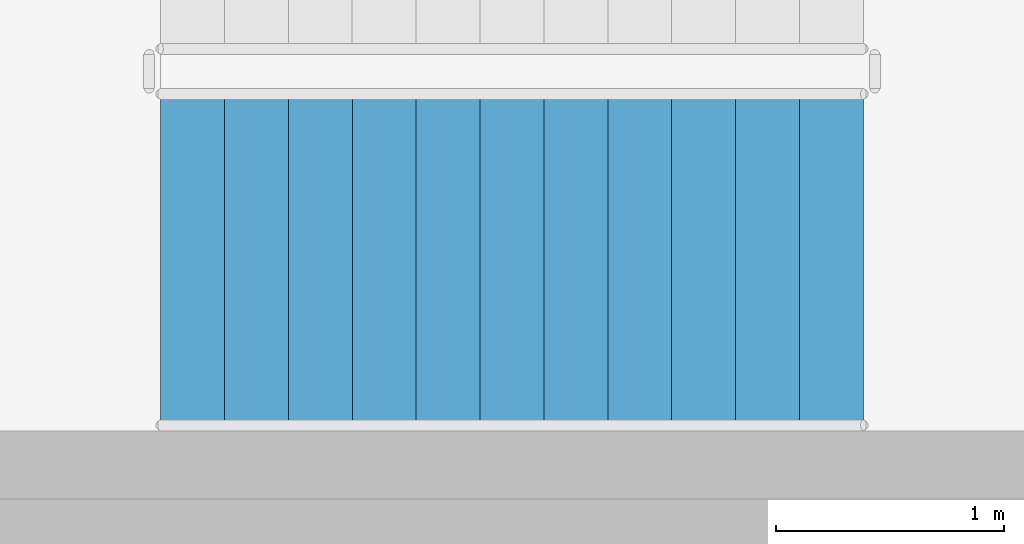
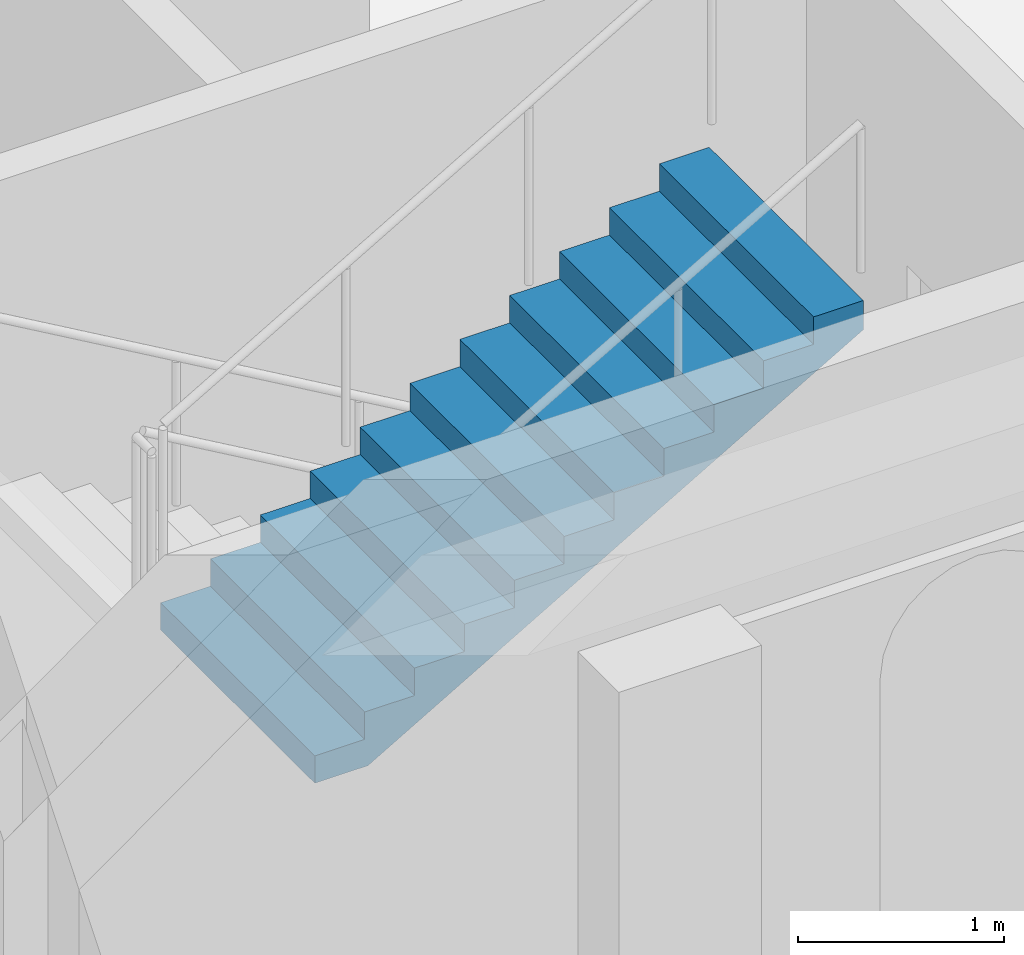
# One storey, part 77 of 95: 1 stair flight, 1 element without a shape of its own.
"""IFC4 building model written with IfcOpenShell, lengths in metres."""

from ifc_helpers import new_model, si_unit, direction, frame, origin, place, context, subcontext, project, spatial, triangles, material, type_object, element, aggregate, save


model = new_model("IFC4")

# Units and contexts
model_context = context("Model", 3, precision=1e-05, world=origin(), true_north=direction((0.0, 1.0)))
body_context = subcontext(model_context, "Body", "Model", "MODEL_VIEW")
ifc_project = project(units=[si_unit("LENGTHUNIT", "METRE"), si_unit("AREAUNIT", "SQUARE_METRE"), si_unit("VOLUMEUNIT", "CUBIC_METRE"), si_unit("PLANEANGLEUNIT", "RADIAN"), si_unit("MASSUNIT", "GRAM", prefix="KILO")], contexts=[model_context])

# Site, building, storey
site_placement = place(None, origin())
site = spatial("IfcSite", under=ifc_project, at=site_placement, CompositionType="ELEMENT")
building_placement = place(site_placement, origin())
building = spatial("IfcBuilding", under=site, at=building_placement, Name="Magnolia Steps Interchange", CompositionType="ELEMENT")
storey_placement = place(building_placement, frame((0.0, 0.0, 4.800048828125)))
storey = spatial("IfcBuildingStorey", under=building, at=storey_placement, Name="L01", CompositionType="ELEMENT", Elevation=4.800048828125)

# Stair, stair flight
ifc_material_1 = material(Name="Concrete C40", Category="concrete")
stair_type = type_object("IfcStairType", Name="Exit stair 1500", PredefinedType="HALF_TURN_STAIR", material=ifc_material_1)
stair_placement = place(storey_placement, origin())
stair = element("IfcStair", 1, at=stair_placement, inside=storey, type_object=stair_type, Name="L01 Stair 28", PredefinedType="HALF_TURN_STAIR")
ifc_material_2 = material(Name="Concrete C40", Category="concrete")
stair_flight_type = type_object("IfcStairFlightType", Name="Exit stair flight", PredefinedType="STRAIGHT", material=ifc_material_2)
stair_flight_placement = place(storey_placement, frame((66.070068359375, 97.60009765625, 1.949951171875), z_axis=(0.0, 0.0, 1.0), x_axis=(1.0, 0.0, 0.0)))
stair_flight = element("IfcStairFlight", 2, at=stair_flight_placement, type_object=stair_flight_type, Name="Stair 28 flight 2", NumberOfRisers=12, NumberOfTreads=11, PredefinedType="STRAIGHT", RiserHeight=0.1625, TreadLength=0.28, context=body_context, shape_type="Tessellation", body=[
    triangles([(0.0, -0.75, 0.0), (0.298583984375, -0.75, 0.0), (3.080078125, -0.75, 1.6142578125), (3.080078125, -0.75, 1.78759765625), (2.800048828125, -0.75, 1.78759765625), (2.800048828125, -0.75, 1.625), (2.52001953125, -0.75, 1.625), (2.52001953125, -0.75, 1.46240234375), (2.239990234375, -0.75, 1.46240234375), (2.239990234375, -0.75, 1.300048828125), (1.9599609375, -0.75, 1.300048828125), (1.9599609375, -0.75, 1.137451171875), (1.679931640625, -0.75, 1.137451171875), (1.679931640625, -0.75, 0.97509765625), (1.39990234375, -0.75, 0.97509765625), (1.39990234375, -0.75, 0.8125), (1.1201171875, -0.75, 0.8125), (1.1201171875, -0.75, 0.64990234375), (0.840087890625, -0.75, 0.64990234375), (0.840087890625, -0.75, 0.487548828125), (0.56005859375, -0.75, 0.487548828125), (0.56005859375, -0.75, 0.324951171875), (0.280029296875, -0.75, 0.324951171875), (0.280029296875, -0.75, 0.16259765625), (0.0, -0.75, 0.16259765625), (0.0, 0.75, 0.0), (0.298583984375, 0.75, 0.0), (3.080078125, 0.75, 1.6142578125), (3.080078125, 0.75, 1.78759765625), (2.800048828125, 0.75, 1.78759765625), (2.800048828125, 0.75, 1.625), (2.52001953125, 0.75, 1.625), (2.52001953125, 0.75, 1.46240234375), (2.239990234375, 0.75, 1.46240234375), (2.239990234375, 0.75, 1.300048828125), (1.9599609375, 0.75, 1.300048828125), (1.9599609375, 0.75, 1.137451171875), (1.679931640625, 0.75, 1.137451171875), (1.679931640625, 0.75, 0.97509765625), (1.39990234375, 0.75, 0.97509765625), (1.39990234375, 0.75, 0.8125), (1.1201171875, 0.75, 0.8125), (1.1201171875, 0.75, 0.64990234375), (0.840087890625, 0.75, 0.64990234375), (0.840087890625, 0.75, 0.487548828125), (0.56005859375, 0.75, 0.487548828125), (0.56005859375, 0.75, 0.324951171875), (0.280029296875, 0.75, 0.324951171875), (0.280029296875, 0.75, 0.16259765625), (0.0, 0.75, 0.16259765625), (0.0, 0.0, 0.0), (0.0, 0.0, 0.0406494140625), (0.0, 0.0, 0.081298828125), (0.0, 0.0, 0.1219482421875), (0.0, 0.0, 0.16259765625), (0.0, -0.05, 0.0), (0.0, -0.05, 0.16259765625), (0.0, 0.05, 0.0), (0.0, 0.05, 0.16259765625), (0.046671549479166664, 0.0, 0.16259765625), (0.09334309895833333, 0.0, 0.16259765625), (0.1400146484375, 0.0, 0.16259765625), (0.18668619791666666, 0.0, 0.16259765625), (0.23335774739583334, 0.0, 0.16259765625), (0.280029296875, 0.0, 0.16259765625), (0.280029296875, -0.05, 0.16259765625), (0.280029296875, 0.05, 0.16259765625), (0.280029296875, 0.0, 0.20318603515625), (0.280029296875, 0.0, 0.2437744140625), (0.280029296875, 0.0, 0.28436279296875), (0.280029296875, 0.0, 0.324951171875), (0.280029296875, -0.05, 0.324951171875), (0.280029296875, 0.05, 0.324951171875), (0.3267008463541667, 0.0, 0.324951171875), (0.3733723958333333, 0.0, 0.324951171875), (0.4200439453125, 0.0, 0.324951171875), (0.46671549479166663, 0.0, 0.324951171875), (0.5133870442708334, 0.0, 0.324951171875), (0.56005859375, 0.0, 0.324951171875), (0.56005859375, -0.05, 0.324951171875), (0.56005859375, 0.05, 0.324951171875), (0.56005859375, 0.0, 0.3656005859375), (0.56005859375, 0.0, 0.40625), (0.56005859375, 0.0, 0.4468994140625), (0.56005859375, 0.0, 0.487548828125), (0.56005859375, -0.05, 0.487548828125), (0.56005859375, 0.05, 0.487548828125), (0.6067301432291666, 0.0, 0.487548828125), (0.6534016927083334, 0.0, 0.487548828125), (0.7000732421875, 0.0, 0.487548828125), (0.7467447916666666, 0.0, 0.487548828125), (0.7934163411458334, 0.0, 0.487548828125), (0.840087890625, 0.0, 0.487548828125), (0.840087890625, -0.05, 0.487548828125), (0.840087890625, 0.05, 0.487548828125), (0.840087890625, 0.0, 0.52813720703125), (0.840087890625, 0.0, 0.5687255859375), (0.840087890625, 0.0, 0.60931396484375), (0.840087890625, 0.0, 0.64990234375), (0.840087890625, -0.05, 0.64990234375), (0.840087890625, 0.05, 0.64990234375), (0.8867594401041666, 0.0, 0.64990234375), (0.9334309895833334, 0.0, 0.64990234375), (0.9801025390625, 0.0, 0.64990234375), (1.0267740885416667, 0.0, 0.64990234375), (1.0734456380208333, 0.0, 0.64990234375), (1.1201171875, 0.0, 0.64990234375), (1.1201171875, -0.05, 0.64990234375), (1.1201171875, 0.05, 0.64990234375), (1.1201171875, 0.0, 0.6905517578125), (1.1201171875, 0.0, 0.731201171875), (1.1201171875, 0.0, 0.7718505859375), (1.1201171875, 0.0, 0.8125), (1.1201171875, -0.05, 0.8125), (1.1201171875, 0.05, 0.8125), (1.1900634765625, 0.0, 0.8125), (1.260009765625, 0.0, 0.8125), (1.3299560546875, 0.0, 0.8125), (1.39990234375, 0.0, 0.8125), (1.39990234375, -0.05, 0.8125), (1.39990234375, 0.05, 0.8125), (1.39990234375, 0.0, 0.8531494140625), (1.39990234375, 0.0, 0.893798828125), (1.39990234375, 0.0, 0.9344482421875), (1.39990234375, 0.0, 0.97509765625), (1.39990234375, -0.05, 0.97509765625), (1.39990234375, 0.05, 0.97509765625), (1.4465738932291667, 0.0, 0.97509765625), (1.4932454427083333, 0.0, 0.97509765625), (1.5399169921875, 0.0, 0.97509765625), (1.5865885416666667, 0.0, 0.97509765625), (1.6332600911458333, 0.0, 0.97509765625), (1.679931640625, 0.0, 0.97509765625), (1.679931640625, -0.05, 0.97509765625), (1.679931640625, 0.05, 0.97509765625), (1.679931640625, 0.0, 1.01568603515625), (1.679931640625, 0.0, 1.0562744140625), (1.679931640625, 0.0, 1.09686279296875), (1.679931640625, 0.0, 1.137451171875), (1.679931640625, -0.05, 1.137451171875), (1.679931640625, 0.05, 1.137451171875), (1.7266031901041667, 0.0, 1.137451171875), (1.7732747395833333, 0.0, 1.137451171875), (1.8199462890625, 0.0, 1.137451171875), (1.8666178385416667, 0.0, 1.137451171875), (1.9132893880208333, 0.0, 1.137451171875), (1.9599609375, 0.0, 1.137451171875), (1.9599609375, -0.05, 1.137451171875), (1.9599609375, 0.05, 1.137451171875), (1.9599609375, 0.0, 1.1781005859375), (1.9599609375, 0.0, 1.21875), (1.9599609375, 0.0, 1.2593994140625), (1.9599609375, 0.0, 1.300048828125), (1.9599609375, -0.05, 1.300048828125), (1.9599609375, 0.05, 1.300048828125), (2.0066324869791665, 0.0, 1.300048828125), (2.0533040364583335, 0.0, 1.300048828125), (2.0999755859375, 0.0, 1.300048828125), (2.1466471354166665, 0.0, 1.300048828125), (2.1933186848958335, 0.0, 1.300048828125), (2.239990234375, 0.0, 1.300048828125), (2.239990234375, -0.05, 1.300048828125), (2.239990234375, 0.05, 1.300048828125), (2.239990234375, 0.0, 1.34063720703125), (2.239990234375, 0.0, 1.3812255859375), (2.239990234375, 0.0, 1.42181396484375), (2.239990234375, 0.0, 1.46240234375), (2.239990234375, -0.05, 1.46240234375), (2.239990234375, 0.05, 1.46240234375), (2.2866617838541665, 0.0, 1.46240234375), (2.3333333333333335, 0.0, 1.46240234375), (2.3800048828125, 0.0, 1.46240234375), (2.4266764322916665, 0.0, 1.46240234375), (2.4733479817708335, 0.0, 1.46240234375), (2.52001953125, 0.0, 1.46240234375), (2.52001953125, -0.05, 1.46240234375), (2.52001953125, 0.05, 1.46240234375), (2.52001953125, 0.0, 1.5030517578125), (2.52001953125, 0.0, 1.543701171875), (2.52001953125, 0.0, 1.5843505859375), (2.52001953125, 0.0, 1.625), (2.52001953125, -0.05, 1.625), (2.52001953125, 0.05, 1.625), (2.5666910807291665, 0.0, 1.625), (2.6133626302083335, 0.0, 1.625), (2.6600341796875, 0.0, 1.625), (2.7067057291666665, 0.0, 1.625), (2.7533772786458335, 0.0, 1.625), (2.800048828125, 0.0, 1.625), (2.800048828125, -0.05, 1.625), (2.800048828125, 0.05, 1.625), (2.800048828125, 0.0, 1.6656494140625), (2.800048828125, 0.0, 1.706298828125), (2.800048828125, 0.0, 1.7469482421875), (2.800048828125, 0.0, 1.78759765625), (2.800048828125, -0.05, 1.78759765625), (2.800048828125, 0.05, 1.78759765625), (2.8467203776041665, 0.0, 1.78759765625), (2.8933919270833335, 0.0, 1.78759765625), (2.9400634765625, 0.0, 1.78759765625), (2.9867350260416665, 0.0, 1.78759765625), (3.0334065755208335, 0.0, 1.78759765625), (3.080078125, 0.0, 1.78759765625), (3.080078125, -0.05, 1.78759765625), (3.080078125, 0.05, 1.78759765625), (3.080078125, 0.0, 1.7442626953125), (3.080078125, 0.0, 1.700927734375), (3.080078125, 0.0, 1.6575927734375), (3.080078125, 0.0, 1.6142578125), (3.080078125, -0.05, 1.6142578125), (3.080078125, 0.05, 1.6142578125), (3.0196108610733696, 0.0, 1.5791652513586956), (2.9591435971467392, 0.0, 1.5440726902173914), (2.898676333220109, 0.0, 1.508980129076087), (2.8382090692934785, 0.0, 1.4738875679347827), (2.7777418053668477, 0.0, 1.4387950067934783), (2.7172745414402173, 0.0, 1.4037024456521738), (2.656807277513587, 0.0, 1.3686098845108696), (2.5963400135869565, 0.0, 1.3335173233695652), (2.535872749660326, 0.0, 1.2984247622282608), (2.475405485733696, 0.0, 1.2633322010869565), (2.4149382218070654, 0.0, 1.228239639945652), (2.3544709578804346, 0.0, 1.193147078804348), (2.294003693953804, 0.0, 1.1580545176630435), (2.233536430027174, 0.0, 1.1229619565217392), (2.1730691661005435, 0.0, 1.0878693953804348), (2.112601902173913, 0.0, 1.0527768342391304), (2.0521346382472827, 0.0, 1.0176842730978262), (1.991667374320652, 0.0, 0.9825917119565217), (1.9312001103940217, 0.0, 0.9474991508152174), (1.8707328464673914, 0.0, 0.9124065896739131), (1.810265582540761, 0.0, 0.8773140285326086), (1.7497983186141304, 0.0, 0.8422214673913043), (1.6893310546875, 0.0, 0.80712890625), (1.6288637907608696, 0.0, 0.7720363451086957), (1.568396526834239, 0.0, 0.7369437839673914), (1.5079292629076086, 0.0, 0.7018512228260869), (1.4474619989809783, 0.0, 0.6667586616847826), (1.386994735054348, 0.0, 0.6316661005434783), (1.3265274711277173, 0.0, 0.5965735394021738), (1.266060207201087, 0.0, 0.5614809782608696), (1.2055929432744565, 0.0, 0.5263884171195652), (1.1451256793478262, 0.0, 0.491295855978261), (1.0846584154211956, 0.0, 0.45620329483695654), (1.0241911514945654, 0.0, 0.4211107336956521), (0.9637238875679346, 0.0, 0.3860181725543479), (0.9032566236413042, 0.0, 0.35092561141304346), (0.8427893597146738, 0.0, 0.315833050271739), (0.7823220957880435, 0.0, 0.2807404891304348), (0.7218548318614131, 0.0, 0.24564792798913038), (0.6613875679347827, 0.0, 0.21055536684782616), (0.6009203040081523, 0.0, 0.17546280570652173), (0.540453040081522, 0.0, 0.1403702445652173), (0.47998577615489113, 0.0, 0.10527768342391308), (0.41951851222826075, 0.0, 0.07018512228260865), (0.3590512483016304, 0.0, 0.035092561141304435), (0.298583984375, 0.0, 0.0), (0.298583984375, -0.05, 0.0), (0.298583984375, 0.05, 0.0), (0.24881998697916666, 0.0, 0.0), (0.19905598958333331, 0.0, 0.0), (0.1492919921875, 0.0, 0.0), (0.09952799479166666, 0.0, 0.0), (0.04976399739583334, 0.0, 0.0)], [[1, 2, 3], [3, 4, 5], [3, 5, 6], [3, 6, 7], [3, 7, 8], [8, 9, 10], [3, 8, 10], [10, 11, 12], [3, 10, 12], [12, 13, 14], [3, 12, 14], [14, 15, 16], [3, 14, 16], [16, 17, 18], [3, 16, 18], [18, 19, 20], [3, 18, 20], [20, 21, 22], [3, 20, 22], [1, 3, 22], [22, 23, 24], [1, 22, 24], [24, 25, 1], [26, 28, 27], [28, 30, 29], [28, 31, 30], [28, 32, 31], [28, 33, 32], [33, 35, 34], [28, 35, 33], [35, 37, 36], [28, 37, 35], [37, 39, 38], [28, 39, 37], [39, 41, 40], [28, 41, 39], [41, 43, 42], [28, 43, 41], [43, 45, 44], [28, 45, 43], [45, 47, 46], [28, 47, 45], [26, 47, 28], [47, 49, 48], [26, 49, 47], [49, 26, 50], [1, 25, 57], [1, 57, 56], [56, 52, 51], [56, 53, 52], [56, 57, 53], [57, 54, 53], [57, 55, 54], [26, 59, 50], [26, 58, 59], [58, 51, 52], [58, 52, 53], [58, 53, 59], [59, 53, 54], [59, 54, 55], [25, 24, 66], [25, 66, 57], [57, 60, 55], [57, 61, 60], [57, 62, 61], [57, 66, 62], [66, 63, 62], [66, 64, 63], [66, 65, 64], [50, 67, 49], [50, 59, 67], [59, 55, 60], [59, 60, 61], [59, 61, 62], [59, 62, 67], [67, 62, 63], [67, 63, 64], [67, 64, 65], [24, 23, 72], [24, 72, 66], [66, 68, 65], [66, 69, 68], [66, 72, 69], [72, 70, 69], [72, 71, 70], [49, 73, 48], [49, 67, 73], [67, 65, 68], [67, 68, 69], [67, 69, 73], [73, 69, 70], [73, 70, 71], [23, 22, 80], [23, 80, 72], [72, 74, 71], [72, 75, 74], [72, 76, 75], [72, 80, 76], [80, 77, 76], [80, 78, 77], [80, 79, 78], [48, 81, 47], [48, 73, 81], [73, 71, 74], [73, 74, 75], [73, 75, 76], [73, 76, 81], [81, 76, 77], [81, 77, 78], [81, 78, 79], [22, 21, 86], [22, 86, 80], [80, 82, 79], [80, 83, 82], [80, 86, 83], [86, 84, 83], [86, 85, 84], [47, 87, 46], [47, 81, 87], [81, 79, 82], [81, 82, 83], [81, 83, 87], [87, 83, 84], [87, 84, 85], [21, 20, 94], [21, 94, 86], [86, 88, 85], [86, 89, 88], [86, 90, 89], [86, 94, 90], [94, 91, 90], [94, 92, 91], [94, 93, 92], [46, 95, 45], [46, 87, 95], [87, 85, 88], [87, 88, 89], [87, 89, 90], [87, 90, 95], [95, 90, 91], [95, 91, 92], [95, 92, 93], [20, 19, 100], [20, 100, 94], [94, 96, 93], [94, 97, 96], [94, 100, 97], [100, 98, 97], [100, 99, 98], [45, 101, 44], [45, 95, 101], [95, 93, 96], [95, 96, 97], [95, 97, 101], [101, 97, 98], [101, 98, 99], [19, 18, 108], [19, 108, 100], [100, 102, 99], [100, 103, 102], [100, 104, 103], [100, 108, 104], [108, 105, 104], [108, 106, 105], [108, 107, 106], [44, 109, 43], [44, 101, 109], [101, 99, 102], [101, 102, 103], [101, 103, 104], [101, 104, 109], [109, 104, 105], [109, 105, 106], [109, 106, 107], [18, 17, 114], [18, 114, 108], [108, 110, 107], [108, 111, 110], [108, 114, 111], [114, 112, 111], [114, 113, 112], [43, 115, 42], [43, 109, 115], [109, 107, 110], [109, 110, 111], [109, 111, 115], [115, 111, 112], [115, 112, 113], [17, 16, 120], [17, 120, 114], [114, 116, 113], [114, 117, 116], [114, 120, 117], [120, 118, 117], [120, 119, 118], [42, 121, 41], [42, 115, 121], [115, 113, 116], [115, 116, 117], [115, 117, 121], [121, 117, 118], [121, 118, 119], [16, 15, 126], [16, 126, 120], [120, 122, 119], [120, 123, 122], [120, 126, 123], [126, 124, 123], [126, 125, 124], [41, 127, 40], [41, 121, 127], [121, 119, 122], [121, 122, 123], [121, 123, 127], [127, 123, 124], [127, 124, 125], [15, 14, 134], [15, 134, 126], [126, 128, 125], [126, 129, 128], [126, 130, 129], [126, 134, 130], [134, 131, 130], [134, 132, 131], [134, 133, 132], [40, 135, 39], [40, 127, 135], [127, 125, 128], [127, 128, 129], [127, 129, 130], [127, 130, 135], [135, 130, 131], [135, 131, 132], [135, 132, 133], [14, 13, 140], [14, 140, 134], [134, 136, 133], [134, 137, 136], [134, 140, 137], [140, 138, 137], [140, 139, 138], [39, 141, 38], [39, 135, 141], [135, 133, 136], [135, 136, 137], [135, 137, 141], [141, 137, 138], [141, 138, 139], [13, 12, 148], [13, 148, 140], [140, 142, 139], [140, 143, 142], [140, 144, 143], [140, 148, 144], [148, 145, 144], [148, 146, 145], [148, 147, 146], [38, 149, 37], [38, 141, 149], [141, 139, 142], [141, 142, 143], [141, 143, 144], [141, 144, 149], [149, 144, 145], [149, 145, 146], [149, 146, 147], [12, 11, 154], [12, 154, 148], [148, 150, 147], [148, 151, 150], [148, 154, 151], [154, 152, 151], [154, 153, 152], [37, 155, 36], [37, 149, 155], [149, 147, 150], [149, 150, 151], [149, 151, 155], [155, 151, 152], [155, 152, 153], [11, 10, 162], [11, 162, 154], [154, 156, 153], [154, 157, 156], [154, 158, 157], [154, 162, 158], [162, 159, 158], [162, 160, 159], [162, 161, 160], [36, 163, 35], [36, 155, 163], [155, 153, 156], [155, 156, 157], [155, 157, 158], [155, 158, 163], [163, 158, 159], [163, 159, 160], [163, 160, 161], [10, 9, 168], [10, 168, 162], [162, 164, 161], [162, 165, 164], [162, 168, 165], [168, 166, 165], [168, 167, 166], [35, 169, 34], [35, 163, 169], [163, 161, 164], [163, 164, 165], [163, 165, 169], [169, 165, 166], [169, 166, 167], [9, 8, 176], [9, 176, 168], [168, 170, 167], [168, 171, 170], [168, 172, 171], [168, 176, 172], [176, 173, 172], [176, 174, 173], [176, 175, 174], [34, 177, 33], [34, 169, 177], [169, 167, 170], [169, 170, 171], [169, 171, 172], [169, 172, 177], [177, 172, 173], [177, 173, 174], [177, 174, 175], [8, 7, 182], [8, 182, 176], [176, 178, 175], [176, 179, 178], [176, 182, 179], [182, 180, 179], [182, 181, 180], [33, 183, 32], [33, 177, 183], [177, 175, 178], [177, 178, 179], [177, 179, 183], [183, 179, 180], [183, 180, 181], [7, 6, 190], [7, 190, 182], [182, 184, 181], [182, 185, 184], [182, 186, 185], [182, 190, 186], [190, 187, 186], [190, 188, 187], [190, 189, 188], [32, 191, 31], [32, 183, 191], [183, 181, 184], [183, 184, 185], [183, 185, 186], [183, 186, 191], [191, 186, 187], [191, 187, 188], [191, 188, 189], [6, 5, 196], [6, 196, 190], [190, 192, 189], [190, 193, 192], [190, 196, 193], [196, 194, 193], [196, 195, 194], [31, 197, 30], [31, 191, 197], [191, 189, 192], [191, 192, 193], [191, 193, 197], [197, 193, 194], [197, 194, 195], [5, 4, 204], [5, 204, 196], [196, 198, 195], [196, 199, 198], [196, 200, 199], [196, 204, 200], [204, 201, 200], [204, 202, 201], [204, 203, 202], [30, 205, 29], [30, 197, 205], [197, 195, 198], [197, 198, 199], [197, 199, 200], [197, 200, 205], [205, 200, 201], [205, 201, 202], [205, 202, 203], [4, 3, 210], [4, 210, 204], [204, 206, 203], [204, 207, 206], [204, 210, 207], [210, 208, 207], [210, 209, 208], [29, 211, 28], [29, 205, 211], [205, 203, 206], [205, 206, 207], [205, 207, 211], [211, 207, 208], [211, 208, 209], [3, 2, 258], [3, 258, 210], [210, 212, 209], [210, 213, 212], [210, 214, 213], [210, 215, 214], [210, 216, 215], [210, 217, 216], [210, 218, 217], [210, 219, 218], [210, 220, 219], [210, 221, 220], [210, 222, 221], [210, 223, 222], [210, 224, 223], [210, 225, 224], [210, 226, 225], [210, 227, 226], [210, 228, 227], [210, 229, 228], [210, 230, 229], [210, 231, 230], [210, 232, 231], [210, 233, 232], [210, 234, 233], [210, 258, 234], [258, 235, 234], [258, 236, 235], [258, 237, 236], [258, 238, 237], [258, 239, 238], [258, 240, 239], [258, 241, 240], [258, 242, 241], [258, 243, 242], [258, 244, 243], [258, 245, 244], [258, 246, 245], [258, 247, 246], [258, 248, 247], [258, 249, 248], [258, 250, 249], [258, 251, 250], [258, 252, 251], [258, 253, 252], [258, 254, 253], [258, 255, 254], [258, 256, 255], [258, 257, 256], [28, 259, 27], [28, 211, 259], [211, 209, 212], [211, 212, 213], [211, 213, 214], [211, 214, 215], [211, 215, 216], [211, 216, 217], [211, 217, 218], [211, 218, 219], [211, 219, 220], [211, 220, 221], [211, 221, 222], [211, 222, 223], [211, 223, 224], [211, 224, 225], [211, 225, 226], [211, 226, 227], [211, 227, 228], [211, 228, 229], [211, 229, 230], [211, 230, 231], [211, 231, 232], [211, 232, 233], [211, 233, 234], [211, 234, 259], [259, 234, 235], [259, 235, 236], [259, 236, 237], [259, 237, 238], [259, 238, 239], [259, 239, 240], [259, 240, 241], [259, 241, 242], [259, 242, 243], [259, 243, 244], [259, 244, 245], [259, 245, 246], [259, 246, 247], [259, 247, 248], [259, 248, 249], [259, 249, 250], [259, 250, 251], [259, 251, 252], [259, 252, 253], [259, 253, 254], [259, 254, 255], [259, 255, 256], [259, 256, 257], [2, 1, 56], [2, 56, 258], [258, 260, 257], [258, 261, 260], [258, 262, 261], [258, 56, 262], [56, 263, 262], [56, 264, 263], [56, 51, 264], [27, 58, 26], [27, 259, 58], [259, 257, 260], [259, 260, 261], [259, 261, 262], [259, 262, 58], [58, 262, 263], [58, 263, 264], [58, 264, 51]], closed=True),
])
aggregate(stair, [stair_flight])

save(model, "model.ifc")
